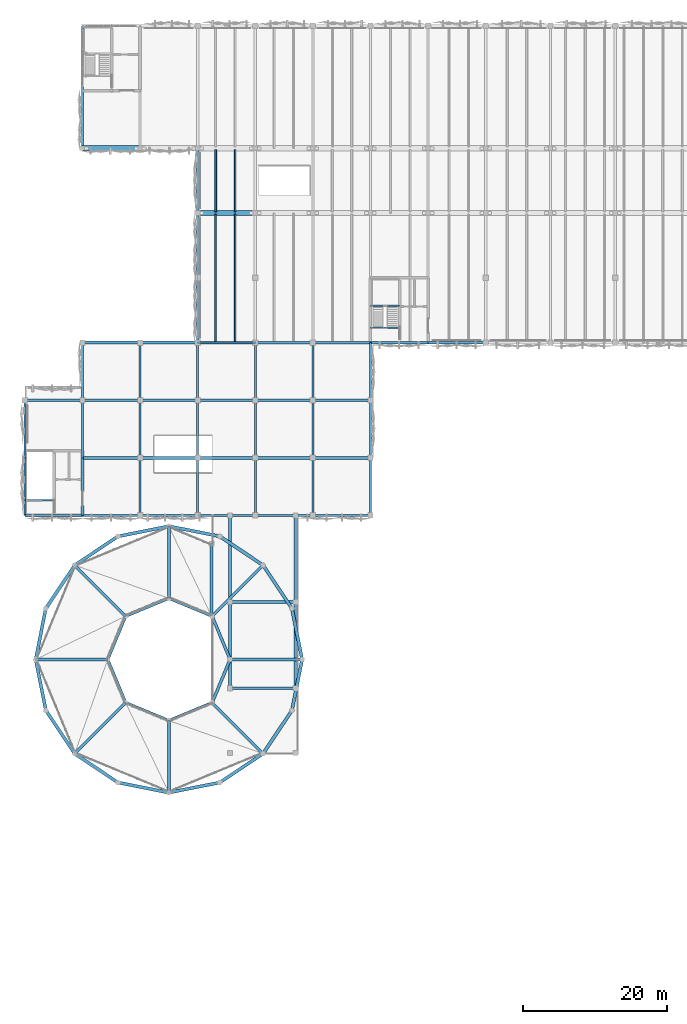
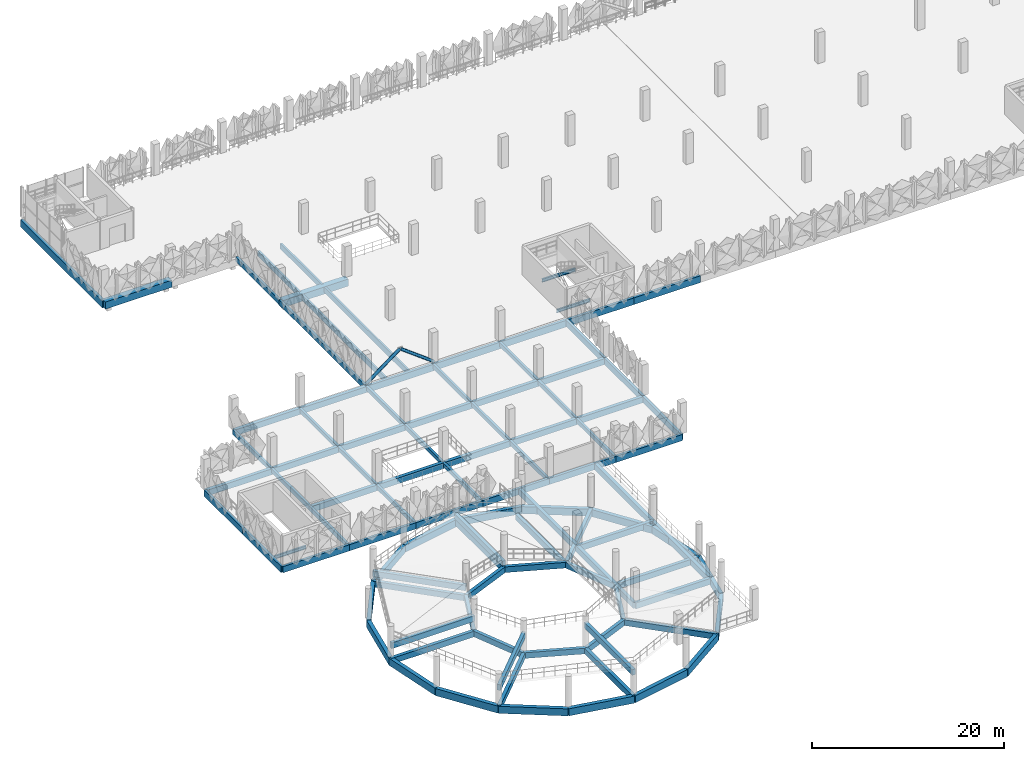
# One storey, part 11 of 83: 100 beams, 2 members.
"""IFC4 building model written with IfcOpenShell, lengths in metres."""

from ifc_helpers import new_model, si_unit, derived_unit, direction, frame, origin, origin_2d, place, context, subcontext, project, spatial, rectangle, hollow_circle, i_section, extrude, material, material_profile, profile_set, type_object, element, save


model = new_model("IFC4")

# Units and contexts
model_context = context("Model", 3, precision=1e-05, world=origin(), true_north=direction((0.0, 1.0)))
body_context = subcontext(model_context, "Body", "Model", "MODEL_VIEW")
ifc_project = project(units=[si_unit("LENGTHUNIT", "METRE"), si_unit("AREAUNIT", "SQUARE_METRE"), si_unit("VOLUMEUNIT", "CUBIC_METRE"), si_unit("PLANEANGLEUNIT", "RADIAN"), si_unit("MASSUNIT", "GRAM", prefix="KILO"), si_unit("THERMODYNAMICTEMPERATUREUNIT", "KELVIN"), derived_unit("THERMALTRANSMITTANCEUNIT", [(si_unit("POWERUNIT", "WATT"), 1), (si_unit("AREAUNIT", "SQUARE_METRE"), -1), (si_unit("THERMODYNAMICTEMPERATUREUNIT", "KELVIN"), -1)])], contexts=[model_context])

# Site, building, storey
site_placement = place(None, origin())
site = spatial("IfcSite", under=ifc_project, at=site_placement, CompositionType="ELEMENT")
building_placement = place(site_placement, origin())
building = spatial("IfcBuilding", under=site, at=building_placement, Name="Haiyu Intermodal Mobility Hub", CompositionType="ELEMENT")
storey_placement = place(building_placement, frame((0.0, 0.0, 13.39990234375)))
storey = spatial("IfcBuildingStorey", under=building, at=storey_placement, Name="L03", CompositionType="ELEMENT", Elevation=13.39990234375)

# Beams
ifc_material_1 = material(Name="Concrete C40", Category="concrete")
ifc_material_profile_1 = material_profile(ifc_material_1, rectangle(XDim=0.39990234375, YDim=0.75, at=origin_2d()), Name="RCB400x750")
ifc_profile_set_1 = profile_set([ifc_material_profile_1], Name="Concrete C40")
beam_type_1 = type_object("IfcBeamType", Name="BM-CB03", PredefinedType="BEAM", material=ifc_profile_set_1)
for number, where, z_axis, x_axis, name in (
    (1, (22.0, 88.0, -0.639892578125), (1.0, 0.0, 0.0), (0.0, 1.0, 0.0), "BM-V4WG-L03-008"),
    (2, (30.0, 88.0, -0.639892578125), (1.0, 0.0, 0.0), (0.0, 1.0, 0.0), "BM-V4WG-L03-009"),
    (3, (38.0, 88.0, -0.639892578125), (1.0, 0.0, 0.0), (0.0, 1.0, 0.0), "BM-V4WG-L03-010"),
    (4, (46.0, 88.0, -0.639892578125), (1.0, 0.0, 0.0), (0.0, 1.0, 0.0), "BM-V4WG-L03-011"),
    (5, (54.0, 88.0, -0.639892578125), (1.0, 0.0, 0.0), (0.0, 1.0, 0.0), "BM-V4WG-L03-012"),
    (6, (14.0, 96.0, -0.639892578125), (1.0, 0.0, 0.0), (0.0, 1.0, 0.0), "BM-V4WG-L03-013"),
    (7, (22.0, 96.0, -0.639892578125), (1.0, 0.0, 0.0), (0.0, 1.0, 0.0), "BM-V4WG-L03-014"),
    (8, (30.0, 96.0, -0.639892578125), (1.0, 0.0, 0.0), (0.0, 1.0, 0.0), "BM-V4WG-L03-015"),
    (9, (38.0, 96.0, -0.639892578125), (1.0, 0.0, 0.0), (0.0, 1.0, 0.0), "BM-V4WG-L03-016"),
    (10, (46.0, 96.0, -0.639892578125), (1.0, 0.0, 0.0), (0.0, 1.0, 0.0), "BM-V4WG-L03-017"),
    (11, (54.0, 96.0, -0.639892578125), (1.0, 0.0, 0.0), (0.0, 1.0, 0.0), "BM-V4WG-L03-018"),
    (12, (22.0, 104.0, -0.639892578125), (1.0, 0.0, 0.0), (0.0, 1.0, 0.0), "BM-V4WG-L03-019"),
    (13, (30.0, 104.0, -0.639892578125), (1.0, 0.0, 0.0), (0.0, 1.0, 0.0), "BM-V4WG-L03-020"),
):
    element("IfcBeam", number, at=place(storey_placement, frame(where, z_axis=z_axis, x_axis=x_axis)), inside=storey, type_object=beam_type_1, Name=name, PredefinedType="BEAM", context=body_context, shape_type="SweptSolid", body=[
        extrude(rectangle(XDim=0.39990234375, YDim=0.75, at=origin_2d()), origin(), (0.0, 0.0, 1.0), 8.0),
    ])
for number, where, z_axis, x_axis, name in (
    (14, (42.5, 56.0, -0.65478515625), (1.0, 0.0, 0.0), (0.0, 1.0, 0.0), "BM-RMPL-L03-033"),
    (15, (42.5, 68.0, -0.65478515625), (1.0, 0.0, 0.0), (0.0, 1.0, 0.0), "BM-RMPL-L03-034"),
):
    element("IfcBeam", number, at=place(storey_placement, frame(where, z_axis=z_axis, x_axis=x_axis)), inside=storey, type_object=beam_type_1, Name=name, PredefinedType="BEAM", context=body_context, shape_type="SweptSolid", body=[
        extrude(rectangle(XDim=0.39990234375, YDim=0.75, at=origin_2d()), origin(), (0.0, 0.0, 1.0), 9.10009765625),
    ])
for number, where, z_axis, x_axis, name in (
    (16, (51.60009765625, 56.0, -0.65478515625), (0.0, 1.0, 0.0), (-1.0, 0.0, 0.0), "BM-RMPLE-L03-036"),
    (17, (42.5, 56.0, -0.65478515625), (0.0, 1.0, 0.0), (-1.0, 0.0, 0.0), "BM-RMPLW-L03-037"),
    (18, (51.60009765625, 68.0, -0.65478515625), (0.0, 1.0, 0.0), (-1.0, 0.0, 0.0), "BM-RMPLE-L03-038"),
    (19, (42.5, 68.0, -0.65478515625), (0.0, 1.0, 0.0), (-1.0, 0.0, 0.0), "BM-RMPLW-L03-039"),
):
    element("IfcBeam", number, at=place(storey_placement, frame(where, z_axis=z_axis, x_axis=x_axis)), inside=storey, type_object=beam_type_1, Name=name, PredefinedType="BEAM", context=body_context, shape_type="SweptSolid", body=[
        extrude(rectangle(XDim=0.39990234375, YDim=0.75, at=origin_2d()), origin(), (0.0, 0.0, 1.0), 12.0),
    ])
ifc_material_profile_2 = material_profile(ifc_material_1, rectangle(XDim=0.300048828125, YDim=0.60009765625, at=origin_2d()), Name="RCB300x600")
ifc_profile_set_2 = profile_set([ifc_material_profile_2], Name="Concrete C40")
beam_type_2 = type_object("IfcBeamType", Name="BM-CB07", PredefinedType="JOIST", material=ifc_profile_set_2)
beam_1_placement = place(storey_placement, frame((38.0, 104.0, -0.574951171875), z_axis=(0.0, 1.0, 0.0), x_axis=(-1.0, 0.0, 0.0)))
element("IfcBeam", 20, at=beam_1_placement, inside=storey, type_object=beam_type_2, Name="BM-V4E-L03-003", PredefinedType="JOIST", context=body_context, shape_type="SweptSolid", body=[
    extrude(rectangle(XDim=0.300048828125, YDim=0.60009765625, at=origin_2d()), origin(), (0.0, 0.0, 1.0), 18.0),
])
beam_2_placement = place(storey_placement, frame((38.0, 122.0, -0.574951171875), z_axis=(0.0, 1.0, 0.0), x_axis=(-1.0, 0.0, 0.0)))
element("IfcBeam", 21, at=beam_2_placement, inside=storey, type_object=beam_type_2, Name="BM-V4E-L03-004", PredefinedType="JOIST", context=body_context, shape_type="SweptSolid", body=[
    extrude(rectangle(XDim=0.300048828125, YDim=0.60009765625, at=origin_2d()), origin(), (0.0, 0.0, 1.0), 9.0),
])
ifc_material_profile_3 = material_profile(ifc_material_1, rectangle(XDim=0.280029296875, YDim=0.5400390625, at=origin_2d()), Name="RCB280x540")
ifc_profile_set_3 = profile_set([ifc_material_profile_3], Name="Concrete C40")
beam_type_3 = type_object("IfcBeamType", Name="BM-CB08", PredefinedType="JOIST", material=ifc_profile_set_3)
for number, where, z_axis, x_axis, name in (
    (22, (22.0, 80.0, -0.534912109375), (0.0, 1.0, 0.0), (-1.0, 0.0, 0.0), "BM-V4WJ-L03-003"),
    (23, (22.0, 88.0, -0.534912109375), (0.0, 1.0, 0.0), (-1.0, 0.0, 0.0), "BM-V4WJ-L03-004"),
    (24, (22.0, 96.0, -0.534912109375), (0.0, 1.0, 0.0), (-1.0, 0.0, 0.0), "BM-V4WJ-L03-005"),
    (25, (30.0, 80.0, -0.534912109375), (0.0, 1.0, 0.0), (-1.0, 0.0, 0.0), "BM-V4WJ-L03-006"),
    (26, (30.0, 88.0, -0.534912109375), (0.0, 1.0, 0.0), (-1.0, 0.0, 0.0), "BM-V4WJ-L03-007"),
    (27, (30.0, 96.0, -0.534912109375), (0.0, 1.0, 0.0), (-1.0, 0.0, 0.0), "BM-V4WJ-L03-008"),
    (28, (38.0, 80.0, -0.534912109375), (0.0, 1.0, 0.0), (-1.0, 0.0, 0.0), "BM-V4WJ-L03-009"),
    (29, (38.0, 88.0, -0.534912109375), (0.0, 1.0, 0.0), (-1.0, 0.0, 0.0), "BM-V4WJ-L03-010"),
    (30, (38.0, 96.0, -0.534912109375), (0.0, 1.0, 0.0), (-1.0, 0.0, 0.0), "BM-V4WJ-L03-011"),
    (31, (46.0, 80.0, -0.534912109375), (0.0, 1.0, 0.0), (-1.0, 0.0, 0.0), "BM-V4WJ-L03-012"),
    (32, (46.0, 88.0, -0.534912109375), (0.0, 1.0, 0.0), (-1.0, 0.0, 0.0), "BM-V4WJ-L03-013"),
    (33, (46.0, 96.0, -0.534912109375), (0.0, 1.0, 0.0), (-1.0, 0.0, 0.0), "BM-V4WJ-L03-014"),
    (34, (54.0, 80.0, -0.534912109375), (0.0, 1.0, 0.0), (-1.0, 0.0, 0.0), "BM-V4WJ-L03-015"),
    (35, (54.0, 88.0, -0.534912109375), (0.0, 1.0, 0.0), (-1.0, 0.0, 0.0), "BM-V4WJ-L03-016"),
    (36, (54.0, 96.0, -0.534912109375), (0.0, 1.0, 0.0), (-1.0, 0.0, 0.0), "BM-V4WJ-L03-017"),
):
    element("IfcBeam", number, at=place(storey_placement, frame(where, z_axis=z_axis, x_axis=x_axis)), inside=storey, type_object=beam_type_3, Name=name, PredefinedType="JOIST", context=body_context, shape_type="SweptSolid", body=[
        extrude(rectangle(XDim=0.280029296875, YDim=0.5400390625, at=origin_2d()), origin(), (0.0, 0.0, 1.0), 8.0),
    ])
ifc_material_profile_4 = material_profile(ifc_material_1, rectangle(XDim=0.449951171875, YDim=0.89990234375, at=origin_2d()), Name="RCB450x900")
ifc_profile_set_4 = profile_set([ifc_material_profile_4], Name="Concrete C40")
beam_type_4 = type_object("IfcBeamType", Name="BM-CB10", PredefinedType="BEAM", material=ifc_profile_set_4)
beam_3_placement = place(storey_placement, frame((52.5, 60.0, -0.72998046875), z_axis=(-0.195042866972, 0.980794718605, 0.0), x_axis=(-0.980794718605, -0.195042866972, 0.0)))
element("IfcBeam", 37, at=beam_3_placement, inside=storey, type_object=beam_type_4, Name="BM-RMP-O-L03-001", PredefinedType="BEAM", context=body_context, shape_type="SweptSolid", body=[
    extrude(rectangle(XDim=0.449951171875, YDim=0.89990234375, at=origin_2d()), origin(), (0.0, 0.0, 1.0), 7.21875),
])
for number, where, z_axis, x_axis, name in (
    (38, (51.092041015625, 67.080078125, -0.72998046875), (-0.555691099877, 0.831388838942, 0.0), (-0.831388838942, -0.555691099877, 0.0), "BM-RMP-O-L03-002"),
    (39, (47.0810546875, 73.0810546875, -0.72998046875), (-0.831388838942, 0.555691099877, 0.0), (-0.555691099877, -0.831388838942, 0.0), "BM-RMP-O-L03-003"),
):
    element("IfcBeam", number, at=place(storey_placement, frame(where, z_axis=z_axis, x_axis=x_axis)), inside=storey, type_object=beam_type_4, Name=name, PredefinedType="BEAM", context=body_context, shape_type="SweptSolid", body=[
        extrude(rectangle(XDim=0.449951171875, YDim=0.89990234375, at=origin_2d()), origin(), (0.0, 0.0, 1.0), 7.218017578125),
    ])
for number, where, z_axis, x_axis, name in (
    (40, (41.080078125, 77.092041015625, -0.72998046875), (-0.980794718605, 0.195042866972, 0.0), (-0.195042866972, -0.980794718605, 0.0), "BM-RMP-O-L03-004"),
    (41, (34.0, 78.5, -0.72998046875), (-0.980794718605, -0.195042866972, 0.0), (0.195042866972, -0.980794718605, 0.0), "BM-RMP-O-L03-005"),
):
    element("IfcBeam", number, at=place(storey_placement, frame(where, z_axis=z_axis, x_axis=x_axis)), inside=storey, type_object=beam_type_4, Name=name, PredefinedType="BEAM", context=body_context, shape_type="SweptSolid", body=[
        extrude(rectangle(XDim=0.449951171875, YDim=0.89990234375, at=origin_2d()), origin(), (0.0, 0.0, 1.0), 7.21875),
    ])
for number, where, z_axis, x_axis, name in (
    (42, (26.919921875, 77.092041015625, -0.72998046875), (-0.831388838942, -0.555691099877, 0.0), (0.555691099877, -0.831388838942, 0.0), "BM-RMP-O-L03-006"),
    (43, (20.9189453125, 73.0810546875, -0.72998046875), (-0.555691099877, -0.831388838942, 0.0), (0.831388838942, -0.555691099877, 0.0), "BM-RMP-O-L03-007"),
):
    element("IfcBeam", number, at=place(storey_placement, frame(where, z_axis=z_axis, x_axis=x_axis)), inside=storey, type_object=beam_type_4, Name=name, PredefinedType="BEAM", context=body_context, shape_type="SweptSolid", body=[
        extrude(rectangle(XDim=0.449951171875, YDim=0.89990234375, at=origin_2d()), origin(), (0.0, 0.0, 1.0), 7.218017578125),
    ])
for number, where, z_axis, x_axis, name in (
    (44, (16.907958984375, 67.080078125, -0.72998046875), (-0.195042866972, -0.980794718605, 0.0), (0.980794718605, -0.195042866972, 0.0), "BM-RMP-O-L03-008"),
    (45, (15.5, 60.0, -0.72998046875), (0.195042866972, -0.980794718605, 0.0), (0.980794718605, 0.195042866972, 0.0), "BM-RMP-O-L03-009"),
):
    element("IfcBeam", number, at=place(storey_placement, frame(where, z_axis=z_axis, x_axis=x_axis)), inside=storey, type_object=beam_type_4, Name=name, PredefinedType="BEAM", context=body_context, shape_type="SweptSolid", body=[
        extrude(rectangle(XDim=0.449951171875, YDim=0.89990234375, at=origin_2d()), origin(), (0.0, 0.0, 1.0), 7.21875),
    ])
for number, where, z_axis, x_axis, name in (
    (46, (16.907958984375, 52.919921875, -0.72998046875), (0.555691099877, -0.831388838942, 0.0), (0.831388838942, 0.555691099877, 0.0), "BM-RMP-O-L03-010"),
    (47, (20.9189453125, 46.9189453125, -0.72998046875), (0.831388838942, -0.555691099877, 0.0), (0.555691099877, 0.831388838942, 0.0), "BM-RMP-O-L03-011"),
):
    element("IfcBeam", number, at=place(storey_placement, frame(where, z_axis=z_axis, x_axis=x_axis)), inside=storey, type_object=beam_type_4, Name=name, PredefinedType="BEAM", context=body_context, shape_type="SweptSolid", body=[
        extrude(rectangle(XDim=0.449951171875, YDim=0.89990234375, at=origin_2d()), origin(), (0.0, 0.0, 1.0), 7.218017578125),
    ])
for number, where, z_axis, x_axis, name in (
    (48, (26.919921875, 42.907958984375, -0.72998046875), (0.980794718605, -0.195042866972, 0.0), (0.195042866972, 0.980794718605, 0.0), "BM-RMP-O-L03-012"),
    (49, (34.0, 41.5, -0.72998046875), (0.980794718605, 0.195042866972, 0.0), (-0.195042866972, 0.980794718605, 0.0), "BM-RMP-O-L03-013"),
):
    element("IfcBeam", number, at=place(storey_placement, frame(where, z_axis=z_axis, x_axis=x_axis)), inside=storey, type_object=beam_type_4, Name=name, PredefinedType="BEAM", context=body_context, shape_type="SweptSolid", body=[
        extrude(rectangle(XDim=0.449951171875, YDim=0.89990234375, at=origin_2d()), origin(), (0.0, 0.0, 1.0), 7.21875),
    ])
for number, where, z_axis, x_axis, name in (
    (50, (41.080078125, 42.907958984375, -0.72998046875), (0.831388838942, 0.555691099877, 0.0), (-0.555691099877, 0.831388838942, 0.0), "BM-RMP-O-L03-014"),
    (51, (47.0810546875, 46.9189453125, -0.72998046875), (0.555691099877, 0.831388838942, 0.0), (-0.831388838942, 0.555691099877, 0.0), "BM-RMP-O-L03-015"),
):
    element("IfcBeam", number, at=place(storey_placement, frame(where, z_axis=z_axis, x_axis=x_axis)), inside=storey, type_object=beam_type_4, Name=name, PredefinedType="BEAM", context=body_context, shape_type="SweptSolid", body=[
        extrude(rectangle(XDim=0.449951171875, YDim=0.89990234375, at=origin_2d()), origin(), (0.0, 0.0, 1.0), 7.218017578125),
    ])
beam_4_placement = place(storey_placement, frame((51.092041015625, 52.919921875, -0.72998046875), z_axis=(0.195042866972, 0.980794718605, 0.0), x_axis=(-0.980794718605, 0.195042866972, 0.0)))
element("IfcBeam", 52, at=beam_4_placement, inside=storey, type_object=beam_type_4, Name="BM-RMP-O-L03-016", PredefinedType="BEAM", context=body_context, shape_type="SweptSolid", body=[
    extrude(rectangle(XDim=0.449951171875, YDim=0.89990234375, at=origin_2d()), origin(), (0.0, 0.0, 1.0), 7.21875),
])
ifc_material_profile_5 = material_profile(ifc_material_1, rectangle(XDim=0.39990234375, YDim=0.719970703125, at=origin_2d()), Name="RCB400x720")
ifc_profile_set_5 = profile_set([ifc_material_profile_5], Name="Concrete C40")
beam_type_5 = type_object("IfcBeamType", Name="BM-CB11", PredefinedType="BEAM", material=ifc_profile_set_5)
beam_5_placement = place(storey_placement, frame((42.5, 60.0, -0.639892578125), z_axis=(-0.382757258538, 0.923848949253, 0.0), x_axis=(-0.923848949253, -0.382757258538, 0.0)))
element("IfcBeam", 53, at=beam_5_placement, inside=storey, type_object=beam_type_5, Name="BM-RMP-I-L03-017", PredefinedType="BEAM", context=body_context, shape_type="SweptSolid", body=[
    extrude(rectangle(XDim=0.39990234375, YDim=0.719970703125, at=origin_2d()), origin(), (0.0, 0.0, 1.0), 6.50537109375),
])
beam_6_placement = place(storey_placement, frame((42.5, 60.0, -0.639892578125), z_axis=(1.0, 0.0, 0.0), x_axis=(0.0, 1.0, 0.0)))
element("IfcBeam", 54, at=beam_6_placement, inside=storey, type_object=beam_type_5, Name="BM-RMP-R-L03-018", PredefinedType="BEAM", context=body_context, shape_type="SweptSolid", body=[
    extrude(rectangle(XDim=0.39990234375, YDim=0.719970703125, at=origin_2d()), origin(), (0.0, 0.0, 1.0), 10.0),
])
beam_7_placement = place(storey_placement, frame((40.010009765625, 66.010009765625, -0.639892578125), z_axis=(-0.923848949253, 0.382757258538, 0.0), x_axis=(-0.382757258538, -0.923848949253, 0.0)))
element("IfcBeam", 55, at=beam_7_placement, inside=storey, type_object=beam_type_5, Name="BM-RMP-I-L03-019", PredefinedType="BEAM", context=body_context, shape_type="SweptSolid", body=[
    extrude(rectangle(XDim=0.39990234375, YDim=0.719970703125, at=origin_2d()), origin(), (0.0, 0.0, 1.0), 6.50537109375),
])
beam_8_placement = place(storey_placement, frame((40.010009765625, 66.010009765625, -0.639892578125), z_axis=(0.707106781187, 0.707106781187, 0.0), x_axis=(-0.707106781187, 0.707106781187, 0.0)))
element("IfcBeam", 56, at=beam_8_placement, inside=storey, type_object=beam_type_5, Name="BM-RMP-R-L03-020", PredefinedType="BEAM", context=body_context, shape_type="SweptSolid", body=[
    extrude(rectangle(XDim=0.39990234375, YDim=0.719970703125, at=origin_2d()), origin(), (0.0, 0.0, 1.0), 10.0),
])
beam_9_placement = place(storey_placement, frame((34.0, 68.5, -0.639892578125), z_axis=(-0.923848949253, -0.382757258538, 0.0), x_axis=(0.382757258538, -0.923848949253, 0.0)))
element("IfcBeam", 57, at=beam_9_placement, inside=storey, type_object=beam_type_5, Name="BM-RMP-I-L03-021", PredefinedType="BEAM", context=body_context, shape_type="SweptSolid", body=[
    extrude(rectangle(XDim=0.39990234375, YDim=0.719970703125, at=origin_2d()), origin(), (0.0, 0.0, 1.0), 6.50537109375),
])
beam_10_placement = place(storey_placement, frame((34.0, 68.5, -0.639892578125), z_axis=(0.0, 1.0, 0.0), x_axis=(-1.0, 0.0, 0.0)))
element("IfcBeam", 58, at=beam_10_placement, inside=storey, type_object=beam_type_5, Name="BM-RMP-R-L03-022", PredefinedType="BEAM", context=body_context, shape_type="SweptSolid", body=[
    extrude(rectangle(XDim=0.39990234375, YDim=0.719970703125, at=origin_2d()), origin(), (0.0, 0.0, 1.0), 10.0),
])
beam_11_placement = place(storey_placement, frame((27.989990234375, 66.010009765625, -0.639892578125), z_axis=(-0.382757258538, -0.923848949253, 0.0), x_axis=(0.923848949253, -0.382757258538, 0.0)))
element("IfcBeam", 59, at=beam_11_placement, inside=storey, type_object=beam_type_5, Name="BM-RMP-I-L03-023", PredefinedType="BEAM", context=body_context, shape_type="SweptSolid", body=[
    extrude(rectangle(XDim=0.39990234375, YDim=0.719970703125, at=origin_2d()), origin(), (0.0, 0.0, 1.0), 6.50537109375),
])
beam_12_placement = place(storey_placement, frame((27.989990234375, 66.010009765625, -0.639892578125), z_axis=(-0.707106781187, 0.707106781187, 0.0), x_axis=(-0.707106781187, -0.707106781187, 0.0)))
element("IfcBeam", 60, at=beam_12_placement, inside=storey, type_object=beam_type_5, Name="BM-RMP-R-L03-024", PredefinedType="BEAM", context=body_context, shape_type="SweptSolid", body=[
    extrude(rectangle(XDim=0.39990234375, YDim=0.719970703125, at=origin_2d()), origin(), (0.0, 0.0, 1.0), 10.0),
])
beam_13_placement = place(storey_placement, frame((25.5, 60.0, -0.639892578125), z_axis=(0.382757258538, -0.923848949253, 0.0), x_axis=(0.923848949253, 0.382757258538, 0.0)))
element("IfcBeam", 61, at=beam_13_placement, inside=storey, type_object=beam_type_5, Name="BM-RMP-I-L03-025", PredefinedType="BEAM", context=body_context, shape_type="SweptSolid", body=[
    extrude(rectangle(XDim=0.39990234375, YDim=0.719970703125, at=origin_2d()), origin(), (0.0, 0.0, 1.0), 6.50537109375),
])
beam_14_placement = place(storey_placement, frame((25.5, 60.0, -0.639892578125), z_axis=(-1.0, 0.0, 0.0), x_axis=(0.0, -1.0, 0.0)))
element("IfcBeam", 62, at=beam_14_placement, inside=storey, type_object=beam_type_5, Name="BM-RMP-R-L03-026", PredefinedType="BEAM", context=body_context, shape_type="SweptSolid", body=[
    extrude(rectangle(XDim=0.39990234375, YDim=0.719970703125, at=origin_2d()), origin(), (0.0, 0.0, 1.0), 10.0),
])
beam_15_placement = place(storey_placement, frame((27.989990234375, 53.989990234375, -0.639892578125), z_axis=(0.923848949253, -0.382757258538, 0.0), x_axis=(0.382757258538, 0.923848949253, 0.0)))
element("IfcBeam", 63, at=beam_15_placement, inside=storey, type_object=beam_type_5, Name="BM-RMP-I-L03-027", PredefinedType="BEAM", context=body_context, shape_type="SweptSolid", body=[
    extrude(rectangle(XDim=0.39990234375, YDim=0.719970703125, at=origin_2d()), origin(), (0.0, 0.0, 1.0), 6.50537109375),
])
beam_16_placement = place(storey_placement, frame((27.989990234375, 53.989990234375, -0.639892578125), z_axis=(-0.707106781187, -0.707106781187, 0.0), x_axis=(0.707106781187, -0.707106781187, 0.0)))
element("IfcBeam", 64, at=beam_16_placement, inside=storey, type_object=beam_type_5, Name="BM-RMP-R-L03-028", PredefinedType="BEAM", context=body_context, shape_type="SweptSolid", body=[
    extrude(rectangle(XDim=0.39990234375, YDim=0.719970703125, at=origin_2d()), origin(), (0.0, 0.0, 1.0), 10.0),
])
beam_17_placement = place(storey_placement, frame((34.0, 51.5, -0.639892578125), z_axis=(0.923848949253, 0.382757258538, 0.0), x_axis=(-0.382757258538, 0.923848949253, 0.0)))
element("IfcBeam", 65, at=beam_17_placement, inside=storey, type_object=beam_type_5, Name="BM-RMP-I-L03-029", PredefinedType="BEAM", context=body_context, shape_type="SweptSolid", body=[
    extrude(rectangle(XDim=0.39990234375, YDim=0.719970703125, at=origin_2d()), origin(), (0.0, 0.0, 1.0), 6.50537109375),
])
beam_18_placement = place(storey_placement, frame((34.0, 51.5, -0.639892578125), z_axis=(0.0, -1.0, 0.0), x_axis=(1.0, 0.0, 0.0)))
element("IfcBeam", 66, at=beam_18_placement, inside=storey, type_object=beam_type_5, Name="BM-RMP-R-L03-030", PredefinedType="BEAM", context=body_context, shape_type="SweptSolid", body=[
    extrude(rectangle(XDim=0.39990234375, YDim=0.719970703125, at=origin_2d()), origin(), (0.0, 0.0, 1.0), 10.0),
])
beam_19_placement = place(storey_placement, frame((40.010009765625, 53.989990234375, -0.639892578125), z_axis=(0.382757258538, 0.923848949253, 0.0), x_axis=(-0.923848949253, 0.382757258538, 0.0)))
element("IfcBeam", 67, at=beam_19_placement, inside=storey, type_object=beam_type_5, Name="BM-RMP-I-L03-031", PredefinedType="BEAM", context=body_context, shape_type="SweptSolid", body=[
    extrude(rectangle(XDim=0.39990234375, YDim=0.719970703125, at=origin_2d()), origin(), (0.0, 0.0, 1.0), 6.50537109375),
])
beam_20_placement = place(storey_placement, frame((40.010009765625, 53.989990234375, -0.639892578125), z_axis=(0.707106781187, -0.707106781187, 0.0), x_axis=(0.707106781187, 0.707106781187, 0.0)))
element("IfcBeam", 68, at=beam_20_placement, inside=storey, type_object=beam_type_5, Name="BM-RMP-R-L03-032", PredefinedType="BEAM", context=body_context, shape_type="SweptSolid", body=[
    extrude(rectangle(XDim=0.39990234375, YDim=0.719970703125, at=origin_2d()), origin(), (0.0, 0.0, 1.0), 10.0),
])
beam_21_placement = place(storey_placement, frame((39.93994140625, 66.0, -0.64501953125), z_axis=(0.0, 1.0, 0.0), x_axis=(-1.0, 0.0, 0.0)))
element("IfcBeam", 69, at=beam_21_placement, inside=storey, type_object=beam_type_5, Name="BM-RMPM-L03-00", PredefinedType="BEAM", context=body_context, shape_type="SweptSolid", body=[
    extrude(rectangle(XDim=0.39990234375, YDim=0.719970703125, at=origin_2d()), origin(), (0.0, 0.0, 1.0), 10.10009765625),
])
for number, where, z_axis, x_axis, name in (
    (70, (34.0, 68.5, 0.005126953125), (0.0, 1.0, 0.0), (-1.0, 0.0, 0.0), "BM-RMPM-L03-01"),
    (71, (27.989990234375, 66.010009765625, 0.655029296875), (-0.707106781187, 0.707106781187, 0.0), (-0.707106781187, -0.707106781187, 0.0), "BM-RMPM-L03-02"),
    (72, (25.5, 60.0, 1.30517578125), (-1.0, 0.0, 0.0), (0.0, -1.0, 0.0), "BM-RMPM-L03-03"),
    (73, (27.989990234375, 53.989990234375, 1.955078125), (-0.707106781187, -0.707106781187, 0.0), (0.707106781187, -0.707106781187, 0.0), "BM-RMPM-L03-04"),
    (74, (34.0, 51.5, 2.60498046875), (0.0, -1.0, 0.0), (1.0, 0.0, 0.0), "BM-RMPM-L03-05"),
):
    element("IfcBeam", number, at=place(storey_placement, frame(where, z_axis=z_axis, x_axis=x_axis)), inside=storey, type_object=beam_type_5, Name=name, PredefinedType="BEAM", context=body_context, shape_type="SweptSolid", body=[
        extrude(rectangle(XDim=0.39990234375, YDim=0.719970703125, at=origin_2d()), origin(), (0.0, 0.0, 1.0), 10.0),
    ])
ifc_material_2 = material(Name="Precast concrete C50", Category="concrete")
ifc_material_profile_6 = material_profile(ifc_material_2, rectangle(XDim=0.219970703125, YDim=0.719970703125, at=origin_2d()), Name="PC220x720")
ifc_profile_set_6 = profile_set([ifc_material_profile_6], Name="Precast concrete C50")
beam_type_6 = type_object("IfcBeamType", Name="BM-DT02", PredefinedType="JOIST", material=ifc_profile_set_6)
for number, where, z_axis, x_axis, name in (
    (75, (40.5, 104.0, -0.635009765625), (0.0, 1.0, 0.0), (-1.0, 0.0, 0.0), "BM-DT-L03-001"),
    (76, (43.199951171875, 104.0, -0.635009765625), (0.0, 1.0, 0.0), (-1.0, 0.0, 0.0), "BM-DT-L03-004"),
):
    element("IfcBeam", number, at=place(storey_placement, frame(where, z_axis=z_axis, x_axis=x_axis)), inside=storey, type_object=beam_type_6, Name=name, PredefinedType="JOIST", context=body_context, shape_type="SweptSolid", body=[
        extrude(rectangle(XDim=0.219970703125, YDim=0.719970703125, at=origin_2d()), origin(), (0.0, 0.0, 1.0), 17.804931640625),
    ])
ifc_material_profile_7 = material_profile(ifc_material_2, rectangle(XDim=0.22998046875, YDim=0.68994140625, at=origin_2d()), Name="B230x690")
ifc_profile_set_7 = profile_set([ifc_material_profile_7], Name="Precast concrete C50")
beam_type_7 = type_object("IfcBeamType", Name="BM-DT06", PredefinedType="JOIST", material=ifc_profile_set_7)
for number, where, z_axis, x_axis, name in (
    (77, (40.5, 122.195068359375, -0.619873046875), (0.0, 1.0, 0.0), (-1.0, 0.0, 0.0), "BM-DT-L03-002"),
    (78, (43.199951171875, 122.195068359375, -0.619873046875), (0.0, 1.0, 0.0), (-1.0, 0.0, 0.0), "BM-DT-L03-005"),
):
    element("IfcBeam", number, at=place(storey_placement, frame(where, z_axis=z_axis, x_axis=x_axis)), inside=storey, type_object=beam_type_7, Name=name, PredefinedType="JOIST", context=body_context, shape_type="SweptSolid", body=[
        extrude(rectangle(XDim=0.22998046875, YDim=0.68994140625, at=origin_2d()), origin(), (0.0, 0.0, 1.0), 8.60986328125),
    ])
ifc_material_profile_8 = material_profile(ifc_material_2, rectangle(XDim=0.699951171875, YDim=0.89990234375, at=origin_2d()), Name="PC700x900")
ifc_profile_set_8 = profile_set([ifc_material_profile_8], Name="Precast concrete C50")
beam_type_8 = type_object("IfcBeamType", Name="BM-IT02", PredefinedType="T_BEAM", material=ifc_profile_set_8)
for number, where, z_axis, x_axis, name in (
    (79, (38.0, 122.0, -0.724853515625), (1.0, 0.0, 0.0), (0.0, 1.0, 0.0), "BM-V4G-L03-013"),
    (80, (22.0, 131.0, -0.724853515625), (1.0, 0.0, 0.0), (0.0, 1.0, 0.0), "BM-V4G-L03-025"),
):
    element("IfcBeam", number, at=place(storey_placement, frame(where, z_axis=z_axis, x_axis=x_axis)), inside=storey, type_object=beam_type_8, Name=name, PredefinedType="T_BEAM", context=body_context, shape_type="SweptSolid", body=[
        extrude(rectangle(XDim=0.699951171875, YDim=0.89990234375, at=origin_2d()), origin(), (0.0, 0.0, 1.0), 8.0),
    ])
ifc_material_3 = material(Name="Steel Q355C", Category="steel")
ifc_material_profile_9 = material_profile(ifc_material_3, i_section(OverallWidth=0.199951171875, OverallDepth=0.39990234375, WebThickness=0.008056640625, FlangeThickness=0.012939453125, FilletRadius=0.01611328125, at=origin_2d()), Name="HN400x200x8x13")
ifc_profile_set_9 = profile_set([ifc_material_profile_9], Name="Steel Q355C")
beam_type_9 = type_object("IfcBeamType", Name="BM-SB08", PredefinedType="JOIST", material=ifc_profile_set_9)
for number, where, z_axis, x_axis, name in (
    (81, (62.0, 106.10009765625, -0.52490234375), (1.0, 0.0, 0.0), (0.0, 1.0, 0.0), "Stair Arrival Trimmer Beam C5-L02"),
    (82, (62.0, 109.1298828125, 1.525146484375), (1.0, 0.0, 0.0), (0.0, 1.0, 0.0), "Stair Half-Landing Front Beam C5-L03"),
    (83, (14.0, 82.10009765625, -0.52490234375), (1.0, 0.0, 0.0), (0.0, 1.0, 0.0), "Stair Arrival Trimmer Beam C7-L02"),
):
    element("IfcBeam", number, at=place(storey_placement, frame(where, z_axis=z_axis, x_axis=x_axis)), inside=storey, type_object=beam_type_9, Name=name, PredefinedType="JOIST", context=body_context, shape_type="SweptSolid", body=[
        extrude(i_section(OverallWidth=0.199951171875, OverallDepth=0.39990234375, WebThickness=0.008056640625, FlangeThickness=0.012939453125, FilletRadius=0.01611328125, at=origin_2d()), origin(), (0.0, 0.0, 1.0), 4.050048828125),
    ])
ifc_material_4 = material(Name="Precast concrete C40", Category="concrete")
ifc_material_profile_10 = material_profile(ifc_material_4, rectangle(XDim=0.320068359375, YDim=0.85009765625, at=origin_2d()), Name="PC320x850")
ifc_profile_set_10 = profile_set([ifc_material_profile_10], Name="Precast concrete C40")
beam_type_10 = type_object("IfcBeamType", Name="BM-SP02", PredefinedType="SPANDREL", material=ifc_profile_set_10)
for number, where, z_axis, x_axis, name in (
    (84, (38.0, 104.0, -0.699951171875), (1.0, 0.0, 0.0), (0.0, 1.0, 0.0), "BM-V4G-L03-001"),
    (85, (46.0, 104.0, -0.699951171875), (1.0, 0.0, 0.0), (0.0, 1.0, 0.0), "BM-V4G-L03-002"),
    (86, (54.0, 104.0, -0.699951171875), (1.0, 0.0, 0.0), (0.0, 1.0, 0.0), "BM-V4G-L03-003"),
    (87, (62.0, 104.0, -0.699951171875), (1.0, 0.0, 0.0), (0.0, 1.0, 0.0), "BM-V4G-L03-004"),
    (88, (70.0, 104.0, -0.699951171875), (1.0, 0.0, 0.0), (0.0, 1.0, 0.0), "BM-V4G-L03-005"),
):
    element("IfcBeam", number, at=place(storey_placement, frame(where, z_axis=z_axis, x_axis=x_axis)), inside=storey, type_object=beam_type_10, Name=name, PredefinedType="SPANDREL", context=body_context, shape_type="SweptSolid", body=[
        extrude(rectangle(XDim=0.320068359375, YDim=0.85009765625, at=origin_2d()), origin(), (0.0, 0.0, 1.0), 8.0),
    ])
ifc_material_profile_11 = material_profile(ifc_material_4, rectangle(XDim=0.300048828125, YDim=0.780029296875, at=origin_2d()), Name="PC300x780")
ifc_profile_set_11 = profile_set([ifc_material_profile_11], Name="Precast concrete C40")
beam_type_11 = type_object("IfcBeamType", Name="BM-SP03", PredefinedType="SPANDREL", material=ifc_profile_set_11)
for number, where, z_axis, x_axis, name in (
    (89, (14.0, 80.0, -0.65478515625), (1.0, 0.0, 0.0), (0.0, 1.0, 0.0), "BM-V4WG-L03-001"),
    (90, (22.0, 80.0, -0.65478515625), (1.0, 0.0, 0.0), (0.0, 1.0, 0.0), "BM-V4WG-L03-002"),
    (91, (30.0, 80.0, -0.65478515625), (1.0, 0.0, 0.0), (0.0, 1.0, 0.0), "BM-V4WG-L03-003"),
    (92, (38.0, 80.0, -0.65478515625), (1.0, 0.0, 0.0), (0.0, 1.0, 0.0), "BM-V4WG-L03-004"),
    (93, (46.0, 80.0, -0.65478515625), (1.0, 0.0, 0.0), (0.0, 1.0, 0.0), "BM-V4WG-L03-005"),
    (94, (54.0, 80.0, -0.65478515625), (1.0, 0.0, 0.0), (0.0, 1.0, 0.0), "BM-V4WG-L03-006"),
    (95, (14.0, 80.0, -0.65478515625), (0.0, 1.0, 0.0), (-1.0, 0.0, 0.0), "BM-V4WJ-L03-001"),
    (96, (14.0, 88.0, -0.65478515625), (0.0, 1.0, 0.0), (-1.0, 0.0, 0.0), "BM-V4WJ-L03-002"),
    (97, (62.0, 80.0, -0.65478515625), (0.0, 1.0, 0.0), (-1.0, 0.0, 0.0), "BM-V4WJ-L03-018"),
    (98, (62.0, 88.0, -0.65478515625), (0.0, 1.0, 0.0), (-1.0, 0.0, 0.0), "BM-V4WJ-L03-019"),
    (99, (62.0, 96.0, -0.65478515625), (0.0, 1.0, 0.0), (-1.0, 0.0, 0.0), "BM-V4WJ-L03-020"),
):
    element("IfcBeam", number, at=place(storey_placement, frame(where, z_axis=z_axis, x_axis=x_axis)), inside=storey, type_object=beam_type_11, Name=name, PredefinedType="SPANDREL", context=body_context, shape_type="SweptSolid", body=[
        extrude(rectangle(XDim=0.300048828125, YDim=0.780029296875, at=origin_2d()), origin(), (0.0, 0.0, 1.0), 8.0),
    ])
ifc_material_profile_12 = material_profile(ifc_material_4, rectangle(XDim=0.340087890625, YDim=0.89990234375, at=origin_2d()), Name="B340x900")
ifc_profile_set_12 = profile_set([ifc_material_profile_12], Name="Precast concrete C40")
beam_type_12 = type_object("IfcBeamType", Name="BM-SP04", PredefinedType="SPANDREL", material=ifc_profile_set_12)
beam_22_placement = place(storey_placement, frame((22.0, 131.0, -0.724853515625), z_axis=(0.0, 1.0, 0.0), x_axis=(-1.0, 0.0, 0.0)))
element("IfcBeam", 100, at=beam_22_placement, inside=storey, type_object=beam_type_12, Name="BM-V4E-L03-001", PredefinedType="SPANDREL", context=body_context, shape_type="SweptSolid", body=[
    extrude(rectangle(XDim=0.340087890625, YDim=0.89990234375, at=origin_2d()), origin(), (0.0, 0.0, 1.0), 17.0),
])

# Members
ifc_material_profile_13 = material_profile(ifc_material_3, hollow_circle(Radius=0.177978515625, WallThickness=0.011962890625, at=origin_2d()), Name="CHS356x12")
ifc_profile_set_13 = profile_set([ifc_material_profile_13], Name="Steel Q355C")
member_type = type_object("IfcMemberType", Name="MEM-BR01", PredefinedType="BRACE", material=ifc_profile_set_13)
for number, where, z_axis, x_axis, name in (
    (101, (38.0, 104.0, 0.0), (0.8, 0.0, 0.6), (0.0, 1.0, 0.0), "Seismic Chevron Brace B4-L03-A"),
    (102, (46.0, 104.0, 0.0), (-0.8, 0.0, 0.6), (0.0, -1.0, 0.0), "Seismic Chevron Brace B4-L03-B"),
):
    element("IfcMember", number, at=place(storey_placement, frame(where, z_axis=z_axis, x_axis=x_axis)), inside=storey, type_object=member_type, Name=name, PredefinedType="BRACE", context=body_context, shape_type="SweptSolid", body=[
        extrude(hollow_circle(Radius=0.177978515625, WallThickness=0.011962890625, at=origin_2d()), origin(), (0.0, 0.0, 1.0), 5.0),
    ])

save(model, "model.ifc")
